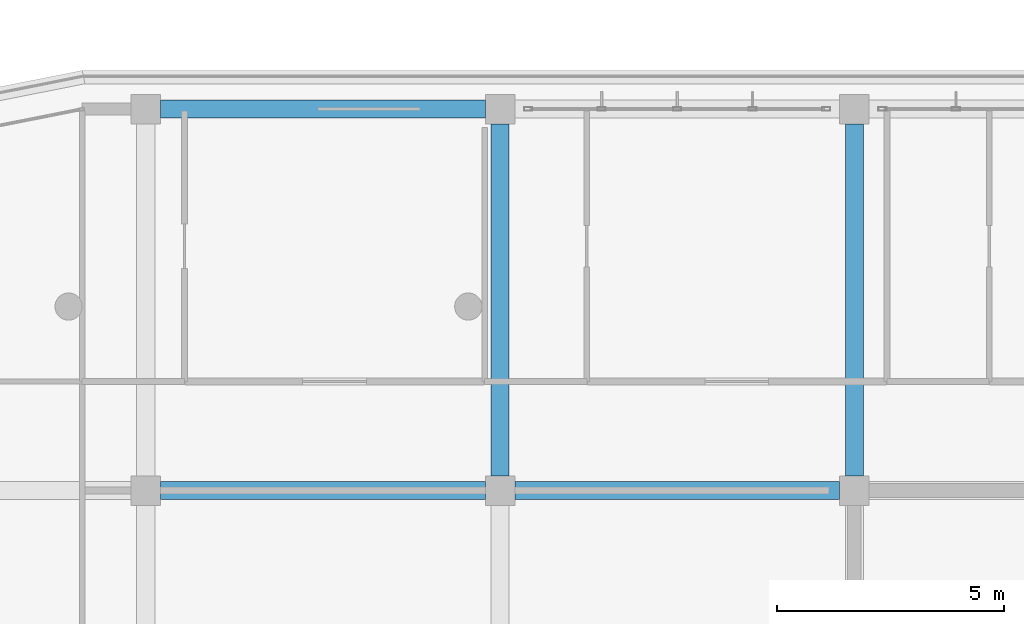
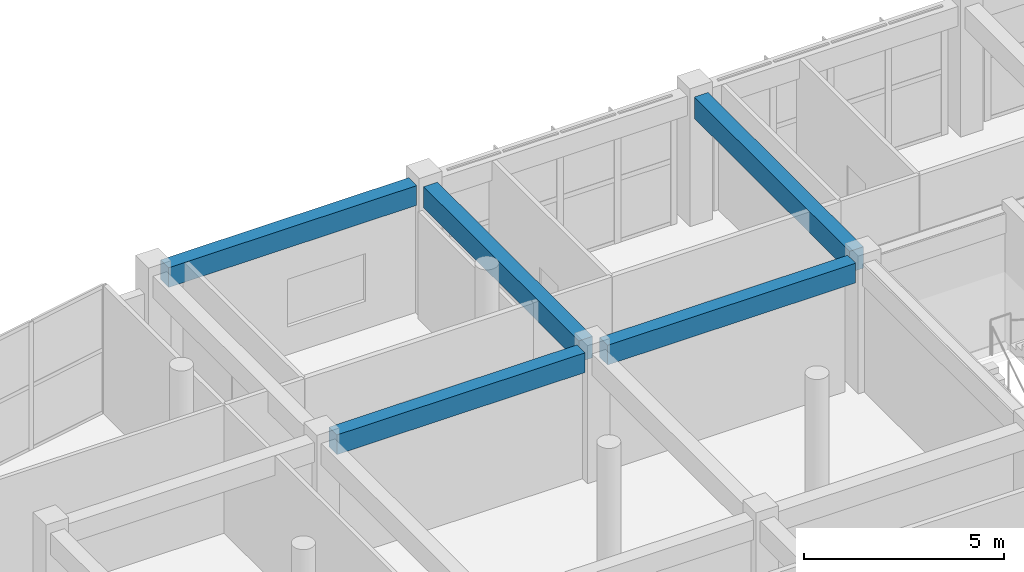
# One storey, part 10 of 57: 5 beams.
"""IFC4 building model written with IfcOpenShell, lengths in metres."""

from ifc_helpers import new_model, si_unit, direction, frame, origin, origin_2d, place, context, subcontext, project, spatial, rectangle, extrude, material, material_profile, profile_set, type_object, element, save


model = new_model("IFC4")

# Units and contexts
model_context = context("Model", 3, precision=1e-05, world=origin(), true_north=direction((0.0, 1.0)))
body_context = subcontext(model_context, "Body", "Model", "MODEL_VIEW")
ifc_project = project(units=[si_unit("LENGTHUNIT", "METRE"), si_unit("AREAUNIT", "SQUARE_METRE"), si_unit("VOLUMEUNIT", "CUBIC_METRE"), si_unit("PLANEANGLEUNIT", "RADIAN"), si_unit("MASSUNIT", "GRAM", prefix="KILO")], contexts=[model_context])

# Site, building, storey
site_placement = place(None, origin())
site = spatial("IfcSite", under=ifc_project, at=site_placement, CompositionType="ELEMENT")
building_placement = place(site_placement, origin())
building = spatial("IfcBuilding", under=site, at=building_placement, Name="Zizhar Promenade General Hospital", CompositionType="ELEMENT")
storey_placement = place(building_placement, frame((0.0, 0.0, 22.199951171875)))
storey = spatial("IfcBuildingStorey", under=building, at=storey_placement, Name="L05", CompositionType="ELEMENT", Elevation=22.199951171875)

# Beams
ifc_material_1 = material(Name="Concrete C35/45", Category="concrete")
ifc_material_profile_1 = material_profile(ifc_material_1, rectangle(XDim=0.39990234375, YDim=0.60009765625, at=origin_2d()))
ifc_profile_set_1 = profile_set([ifc_material_profile_1], Name="Concrete C35/45")
beam_type_1 = type_object("IfcBeamType", Name="BM-RC-400x600", PredefinedType="JOIST", material=ifc_profile_set_1)
for number, where, z_axis, x_axis, name in (
    (1, (31.52490234375, 16.800048828125, 3.610107421875), (1.0, 0.0, 0.0), (0.0, 1.0, 0.0), "Grid Beam X L05 (4-2)"),
    (2, (31.52490234375, 25.199951171875, 3.610107421875), (1.0, 0.0, 0.0), (0.0, 1.0, 0.0), "Grid Beam X L05 (4-3)"),
    (3, (39.324951171875, 16.800048828125, 3.610107421875), (1.0, 0.0, 0.0), (0.0, 1.0, 0.0), "Grid Beam X L05 (5-2)"),
):
    element("IfcBeam", number, at=place(storey_placement, frame(where, z_axis=z_axis, x_axis=x_axis)), inside=storey, type_object=beam_type_1, Name=name, PredefinedType="JOIST", context=body_context, shape_type="SweptSolid", body=[
        extrude(rectangle(XDim=0.39990234375, YDim=0.60009765625, at=origin_2d()), origin(), (0.0, 0.0, 1.0), 7.150146484375),
    ])
ifc_material_2 = material(Name="Concrete C35/45", Category="concrete")
ifc_material_profile_2 = material_profile(ifc_material_2, rectangle(XDim=0.39990234375, YDim=0.64990234375, at=origin_2d()))
ifc_profile_set_2 = profile_set([ifc_material_profile_2], Name="Concrete C35/45")
beam_type_2 = type_object("IfcBeamType", Name="BM-RC-400x650", PredefinedType="BEAM", material=ifc_profile_set_2)
for number, where, z_axis, x_axis, name in (
    (4, (39.0, 17.125, 3.5849609375), (0.0, 1.0, 0.0), (-1.0, 0.0, 0.0), "Grid Beam Y L05 (5-2)"),
    (5, (46.800048828125, 17.125, 3.5849609375), (0.0, 1.0, 0.0), (-1.0, 0.0, 0.0), "Grid Beam Y L05 (6-2)"),
):
    element("IfcBeam", number, at=place(storey_placement, frame(where, z_axis=z_axis, x_axis=x_axis)), inside=storey, type_object=beam_type_2, Name=name, PredefinedType="BEAM", context=body_context, shape_type="SweptSolid", body=[
        extrude(rectangle(XDim=0.39990234375, YDim=0.64990234375, at=origin_2d()), origin(), (0.0, 0.0, 1.0), 7.75),
    ])

save(model, "model.ifc")
